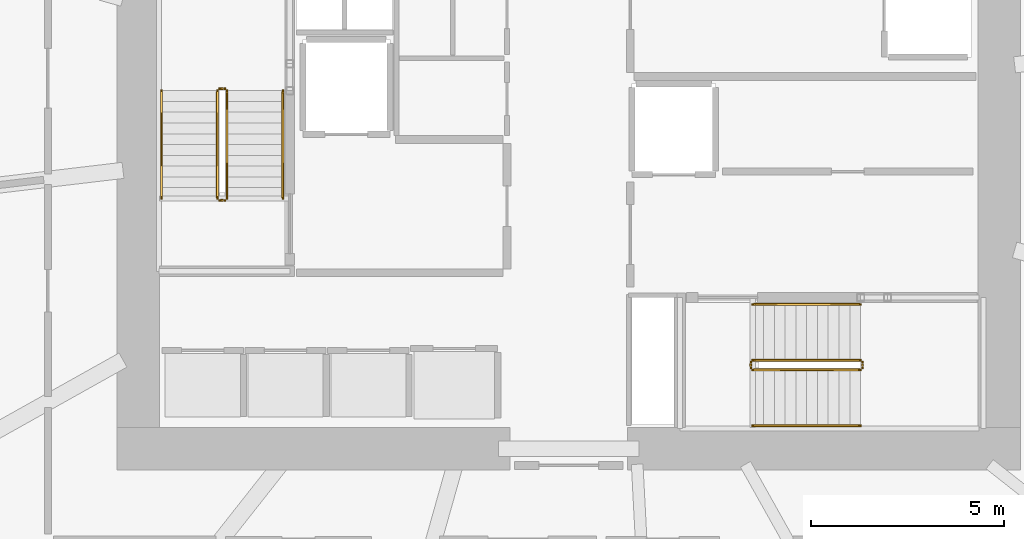
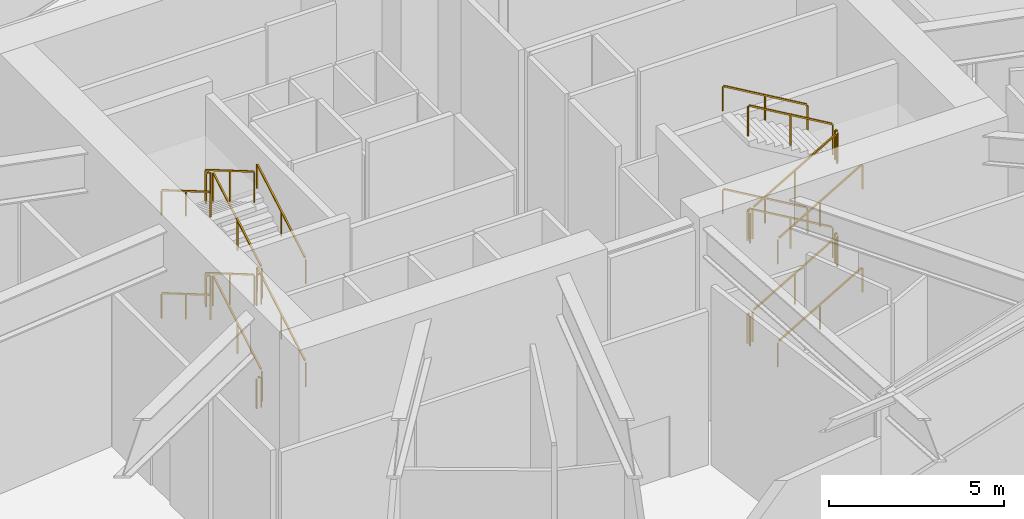
# One storey, part 25 of 28: 24 railings.
"""IFC4 building model written with IfcOpenShell, lengths in metres."""

from ifc_helpers import new_model, si_unit, direction, frame, origin, origin_2d, place, context, subcontext, project, spatial, rectangle, extrude, material, type_object, element, save


model = new_model("IFC4")

# Units and contexts
model_context = context("Model", 3, precision=1e-05, world=origin(), true_north=direction((0.0, 1.0)))
body_context = subcontext(model_context, "Body", "Model", "MODEL_VIEW")
ifc_project = project(units=[si_unit("LENGTHUNIT", "METRE"), si_unit("AREAUNIT", "SQUARE_METRE"), si_unit("VOLUMEUNIT", "CUBIC_METRE"), si_unit("PLANEANGLEUNIT", "RADIAN"), si_unit("MASSUNIT", "GRAM", prefix="KILO")], contexts=[model_context])

# Site, building, storey
site_placement = place(None, origin())
site = spatial("IfcSite", under=ifc_project, at=site_placement, CompositionType="ELEMENT")
building_placement = place(site_placement, origin())
building = spatial("IfcBuilding", under=site, at=building_placement, Name="Kazma Halo Residences", CompositionType="ELEMENT")
storey_placement = place(building_placement, origin())
storey = spatial("IfcBuildingStorey", under=building, at=storey_placement, Name="L00", CompositionType="ELEMENT", Elevation=0.0)

# Railings
ifc_material_1 = material(Name="Painted Steel S355", Category="steel")
railing_type_1 = type_object("IfcRailingType", Name="RLG-STAIR-GRD-1100", PredefinedType="GUARDRAIL", material=ifc_material_1)
railing_1_placement = place(storey_placement, frame((39.550048828125, 39.949951171875, 0.16357421875)))
element("IfcRailing", 1, at=railing_1_placement, inside=storey, type_object=railing_type_1, Name="L00 ST-01 stair guard 1", PredefinedType="GUARDRAIL", context=body_context, shape_type="SweptSolid", body=[
    extrude(rectangle(XDim=0.050048828125, YDim=0.050048828125, at=origin_2d()), frame((0.0, 0.03662109375, 1.096435546875), z_axis=(0.0, 0.863360870873, 0.504586966384), x_axis=(-1.0, 0.0, 0.0)), (0.0, 0.0, 1.0), 3.158203125),
    extrude(rectangle(XDim=0.0400390625, YDim=0.0400390625, at=origin_2d()), origin(), (0.0, 0.0, 1.0), 1.0380859375),
    extrude(rectangle(XDim=0.0400390625, YDim=0.0400390625, at=origin_2d()), frame((0.0, 1.39990234375, 0.818359375)), (0.0, 0.0, 1.0), 1.0380859375),
    extrude(rectangle(XDim=0.0400390625, YDim=0.0400390625, at=origin_2d()), frame((0.0, 2.800048828125, 1.636474609375)), (0.0, 0.0, 1.0), 1.0380859375),
])
railing_2_placement = place(storey_placement, frame((39.5, 42.800048828125, 1.800048828125)))
element("IfcRailing", 2, at=railing_2_placement, inside=storey, type_object=railing_type_1, Name="L00 ST-01 stair guard 2", PredefinedType="GUARDRAIL", context=body_context, shape_type="SweptSolid", body=[
    extrude(rectangle(XDim=0.050048828125, YDim=0.050048828125, at=origin_2d()), frame((-0.04248046875, 0.0, 1.0751953125), z_axis=(-1.0, 0.0, 0.0), x_axis=(0.0, -1.0, 0.0)), (0.0, 0.0, 1.0), 0.06494140625),
    extrude(rectangle(XDim=0.0400390625, YDim=0.0400390625, at=origin_2d()), origin(), (0.0, 0.0, 1.0), 1.0380859375),
    extrude(rectangle(XDim=0.0400390625, YDim=0.0400390625, at=origin_2d()), frame((-0.14990234375, 0.0, 0.0)), (0.0, 0.0, 1.0), 1.0380859375),
])
railing_3_placement = place(storey_placement, frame((39.300048828125, 42.75, 1.963623046875)))
element("IfcRailing", 3, at=railing_3_placement, inside=storey, type_object=railing_type_1, Name="L00 ST-01 stair guard 3", PredefinedType="GUARDRAIL", context=body_context, shape_type="SweptSolid", body=[
    extrude(rectangle(XDim=0.050048828125, YDim=0.050048828125, at=origin_2d()), frame((0.0, -0.03662109375, 1.096435546875), z_axis=(0.0, -0.863360870873, 0.504586966384), x_axis=(1.0, 0.0, 0.0)), (0.0, 0.0, 1.0), 3.158203125),
    extrude(rectangle(XDim=0.0400390625, YDim=0.0400390625, at=origin_2d()), origin(), (0.0, 0.0, 1.0), 1.0380859375),
    extrude(rectangle(XDim=0.0400390625, YDim=0.0400390625, at=origin_2d()), frame((0.0, -1.39990234375, 0.818359375)), (0.0, 0.0, 1.0), 1.0380859375),
    extrude(rectangle(XDim=0.0400390625, YDim=0.0400390625, at=origin_2d()), frame((0.0, -2.800048828125, 1.636474609375)), (0.0, 0.0, 1.0), 1.0380859375),
])
railing_4_placement = place(storey_placement, frame((39.5, 39.89990234375, 3.60009765625)))
element("IfcRailing", 4, at=railing_4_placement, inside=storey, type_object=railing_type_1, Name="L00 ST-01 stair guard 4", PredefinedType="GUARDRAIL", context=body_context, shape_type="SweptSolid", body=[
    extrude(rectangle(XDim=0.050048828125, YDim=0.050048828125, at=origin_2d()), frame((-0.04248046875, 0.0, 1.0751953125), z_axis=(-1.0, 0.0, 0.0), x_axis=(0.0, -1.0, 0.0)), (0.0, 0.0, 1.0), 0.06494140625),
    extrude(rectangle(XDim=0.0400390625, YDim=0.0400390625, at=origin_2d()), origin(), (0.0, 0.0, 1.0), 1.0380859375),
    extrude(rectangle(XDim=0.0400390625, YDim=0.0400390625, at=origin_2d()), frame((-0.14990234375, 0.0, 0.0)), (0.0, 0.0, 1.0), 1.0380859375),
])
railing_5_placement = place(storey_placement, frame((39.550048828125, 39.949951171875, 3.763671875)))
element("IfcRailing", 5, at=railing_5_placement, inside=storey, type_object=railing_type_1, Name="L00 ST-01 stair guard 5", PredefinedType="GUARDRAIL", context=body_context, shape_type="SweptSolid", body=[
    extrude(rectangle(XDim=0.050048828125, YDim=0.050048828125, at=origin_2d()), frame((0.0, 0.03662109375, 1.096435546875), z_axis=(0.0, 0.863393664356, 0.504530851732), x_axis=(-1.0, 0.0, 0.0)), (0.0, 0.0, 1.0), 3.157958984375),
    extrude(rectangle(XDim=0.0400390625, YDim=0.0400390625, at=origin_2d()), origin(), (0.0, 0.0, 1.0), 1.0380859375),
    extrude(rectangle(XDim=0.0400390625, YDim=0.0400390625, at=origin_2d()), frame((0.0, 1.39990234375, 0.818115234375)), (0.0, 0.0, 1.0), 1.0380859375),
    extrude(rectangle(XDim=0.0400390625, YDim=0.0400390625, at=origin_2d()), frame((0.0, 2.800048828125, 1.63623046875)), (0.0, 0.0, 1.0), 1.0380859375),
])
railing_6_placement = place(storey_placement, frame((39.5, 42.800048828125, 5.39990234375)))
element("IfcRailing", 6, at=railing_6_placement, inside=storey, type_object=railing_type_1, Name="L00 ST-01 stair guard 6", PredefinedType="GUARDRAIL", context=body_context, shape_type="SweptSolid", body=[
    extrude(rectangle(XDim=0.050048828125, YDim=0.050048828125, at=origin_2d()), frame((-0.04248046875, 0.0, 1.0751953125), z_axis=(-1.0, 0.0, 0.0), x_axis=(0.0, -1.0, 0.0)), (0.0, 0.0, 1.0), 0.06494140625),
    extrude(rectangle(XDim=0.0400390625, YDim=0.0400390625, at=origin_2d()), origin(), (0.0, 0.0, 1.0), 1.0380859375),
    extrude(rectangle(XDim=0.0400390625, YDim=0.0400390625, at=origin_2d()), frame((-0.14990234375, 0.0, 0.0)), (0.0, 0.0, 1.0), 1.0380859375),
])
railing_7_placement = place(storey_placement, frame((39.300048828125, 42.75, 5.563720703125)))
element("IfcRailing", 7, at=railing_7_placement, inside=storey, type_object=railing_type_1, Name="L00 ST-01 stair guard 7", PredefinedType="GUARDRAIL", context=body_context, shape_type="SweptSolid", body=[
    extrude(rectangle(XDim=0.050048828125, YDim=0.050048828125, at=origin_2d()), frame((0.0, -0.03662109375, 1.096435546875), z_axis=(0.0, -0.863393664356, 0.504530851732), x_axis=(1.0, 0.0, 0.0)), (0.0, 0.0, 1.0), 3.157958984375),
    extrude(rectangle(XDim=0.0400390625, YDim=0.0400390625, at=origin_2d()), origin(), (0.0, 0.0, 1.0), 1.0380859375),
    extrude(rectangle(XDim=0.0400390625, YDim=0.0400390625, at=origin_2d()), frame((0.0, -1.39990234375, 0.818115234375)), (0.0, 0.0, 1.0), 1.0380859375),
    extrude(rectangle(XDim=0.0400390625, YDim=0.0400390625, at=origin_2d()), frame((0.0, -2.800048828125, 1.63623046875)), (0.0, 0.0, 1.0), 1.0380859375),
])
railing_8_placement = place(storey_placement, frame((39.5, 39.89990234375, 0.0)))
element("IfcRailing", 8, at=railing_8_placement, inside=storey, type_object=railing_type_1, Name="L00 ST-01 stair guard 8", PredefinedType="GUARDRAIL", context=body_context, shape_type="SweptSolid", body=[
    extrude(rectangle(XDim=0.050048828125, YDim=0.050048828125, at=origin_2d()), frame((-0.04248046875, 0.0, 1.0751953125), z_axis=(-1.0, 0.0, 0.0), x_axis=(0.0, -1.0, 0.0)), (0.0, 0.0, 1.0), 0.06494140625),
    extrude(rectangle(XDim=0.0400390625, YDim=0.0400390625, at=origin_2d()), origin(), (0.0, 0.0, 1.0), 1.0380859375),
    extrude(rectangle(XDim=0.0400390625, YDim=0.0400390625, at=origin_2d()), frame((-0.14990234375, 0.0, 0.0)), (0.0, 0.0, 1.0), 1.0380859375),
])
railing_9_placement = place(storey_placement, frame((53.199951171875, 35.5, 0.16357421875)))
element("IfcRailing", 9, at=railing_9_placement, inside=storey, type_object=railing_type_1, Name="L00 ST-03 stair guard 1", PredefinedType="GUARDRAIL", context=body_context, shape_type="SweptSolid", body=[
    extrude(rectangle(XDim=0.050048828125, YDim=0.050048828125, at=origin_2d()), frame((0.03662109375, 0.0, 1.096435546875), z_axis=(0.863360870873, 0.0, 0.504586966384), x_axis=(0.0, 1.0, 0.0)), (0.0, 0.0, 1.0), 3.158203125),
    extrude(rectangle(XDim=0.0400390625, YDim=0.0400390625, at=origin_2d()), origin(), (0.0, 0.0, 1.0), 1.0380859375),
    extrude(rectangle(XDim=0.0400390625, YDim=0.0400390625, at=origin_2d()), frame((1.39990234375, 0.0, 0.818359375)), (0.0, 0.0, 1.0), 1.0380859375),
    extrude(rectangle(XDim=0.0400390625, YDim=0.0400390625, at=origin_2d()), frame((2.800048828125, 0.0, 1.636474609375)), (0.0, 0.0, 1.0), 1.0380859375),
])
railing_10_placement = place(storey_placement, frame((56.050048828125, 35.550048828125, 1.800048828125)))
element("IfcRailing", 10, at=railing_10_placement, inside=storey, type_object=railing_type_1, Name="L00 ST-03 stair guard 2", PredefinedType="GUARDRAIL", context=body_context, shape_type="SweptSolid", body=[
    extrude(rectangle(XDim=0.050048828125, YDim=0.050048828125, at=origin_2d()), frame((0.0, 0.04248046875, 1.0751953125), z_axis=(0.0, 1.0, 0.0), x_axis=(-1.0, 0.0, 0.0)), (0.0, 0.0, 1.0), 0.06494140625),
    extrude(rectangle(XDim=0.0400390625, YDim=0.0400390625, at=origin_2d()), origin(), (0.0, 0.0, 1.0), 1.0380859375),
    extrude(rectangle(XDim=0.0400390625, YDim=0.0400390625, at=origin_2d()), frame((0.0, 0.14990234375, 0.0)), (0.0, 0.0, 1.0), 1.0380859375),
])
railing_11_placement = place(storey_placement, frame((56.0, 35.75, 1.963623046875)))
element("IfcRailing", 11, at=railing_11_placement, inside=storey, type_object=railing_type_1, Name="L00 ST-03 stair guard 3", PredefinedType="GUARDRAIL", context=body_context, shape_type="SweptSolid", body=[
    extrude(rectangle(XDim=0.050048828125, YDim=0.050048828125, at=origin_2d()), frame((-0.03662109375, 0.0, 1.096435546875), z_axis=(-0.863360870873, 0.0, 0.504586966384), x_axis=(0.0, -1.0, 0.0)), (0.0, 0.0, 1.0), 3.158203125),
    extrude(rectangle(XDim=0.0400390625, YDim=0.0400390625, at=origin_2d()), origin(), (0.0, 0.0, 1.0), 1.0380859375),
    extrude(rectangle(XDim=0.0400390625, YDim=0.0400390625, at=origin_2d()), frame((-1.39990234375, 0.0, 0.818359375)), (0.0, 0.0, 1.0), 1.0380859375),
    extrude(rectangle(XDim=0.0400390625, YDim=0.0400390625, at=origin_2d()), frame((-2.800048828125, 0.0, 1.636474609375)), (0.0, 0.0, 1.0), 1.0380859375),
])
railing_12_placement = place(storey_placement, frame((53.14990234375, 35.550048828125, 3.60009765625)))
element("IfcRailing", 12, at=railing_12_placement, inside=storey, type_object=railing_type_1, Name="L00 ST-03 stair guard 4", PredefinedType="GUARDRAIL", context=body_context, shape_type="SweptSolid", body=[
    extrude(rectangle(XDim=0.050048828125, YDim=0.050048828125, at=origin_2d()), frame((0.0, 0.04248046875, 1.0751953125), z_axis=(0.0, 1.0, 0.0), x_axis=(-1.0, 0.0, 0.0)), (0.0, 0.0, 1.0), 0.06494140625),
    extrude(rectangle(XDim=0.0400390625, YDim=0.0400390625, at=origin_2d()), origin(), (0.0, 0.0, 1.0), 1.0380859375),
    extrude(rectangle(XDim=0.0400390625, YDim=0.0400390625, at=origin_2d()), frame((0.0, 0.14990234375, 0.0)), (0.0, 0.0, 1.0), 1.0380859375),
])
railing_13_placement = place(storey_placement, frame((53.199951171875, 35.5, 3.763671875)))
element("IfcRailing", 13, at=railing_13_placement, inside=storey, type_object=railing_type_1, Name="L00 ST-03 stair guard 5", PredefinedType="GUARDRAIL", context=body_context, shape_type="SweptSolid", body=[
    extrude(rectangle(XDim=0.050048828125, YDim=0.050048828125, at=origin_2d()), frame((0.03662109375, 0.0, 1.096435546875), z_axis=(0.863393664356, 0.0, 0.504530851732), x_axis=(0.0, 1.0, 0.0)), (0.0, 0.0, 1.0), 3.157958984375),
    extrude(rectangle(XDim=0.0400390625, YDim=0.0400390625, at=origin_2d()), origin(), (0.0, 0.0, 1.0), 1.0380859375),
    extrude(rectangle(XDim=0.0400390625, YDim=0.0400390625, at=origin_2d()), frame((1.39990234375, 0.0, 0.818115234375)), (0.0, 0.0, 1.0), 1.0380859375),
    extrude(rectangle(XDim=0.0400390625, YDim=0.0400390625, at=origin_2d()), frame((2.800048828125, 0.0, 1.63623046875)), (0.0, 0.0, 1.0), 1.0380859375),
])
railing_14_placement = place(storey_placement, frame((56.050048828125, 35.550048828125, 5.39990234375)))
element("IfcRailing", 14, at=railing_14_placement, inside=storey, type_object=railing_type_1, Name="L00 ST-03 stair guard 6", PredefinedType="GUARDRAIL", context=body_context, shape_type="SweptSolid", body=[
    extrude(rectangle(XDim=0.050048828125, YDim=0.050048828125, at=origin_2d()), frame((0.0, 0.04248046875, 1.0751953125), z_axis=(0.0, 1.0, 0.0), x_axis=(-1.0, 0.0, 0.0)), (0.0, 0.0, 1.0), 0.06494140625),
    extrude(rectangle(XDim=0.0400390625, YDim=0.0400390625, at=origin_2d()), origin(), (0.0, 0.0, 1.0), 1.0380859375),
    extrude(rectangle(XDim=0.0400390625, YDim=0.0400390625, at=origin_2d()), frame((0.0, 0.14990234375, 0.0)), (0.0, 0.0, 1.0), 1.0380859375),
])
railing_15_placement = place(storey_placement, frame((56.0, 35.75, 5.563720703125)))
element("IfcRailing", 15, at=railing_15_placement, inside=storey, type_object=railing_type_1, Name="L00 ST-03 stair guard 7", PredefinedType="GUARDRAIL", context=body_context, shape_type="SweptSolid", body=[
    extrude(rectangle(XDim=0.050048828125, YDim=0.050048828125, at=origin_2d()), frame((-0.03662109375, 0.0, 1.096435546875), z_axis=(-0.863393664356, 0.0, 0.504530851732), x_axis=(0.0, -1.0, 0.0)), (0.0, 0.0, 1.0), 3.157958984375),
    extrude(rectangle(XDim=0.0400390625, YDim=0.0400390625, at=origin_2d()), origin(), (0.0, 0.0, 1.0), 1.0380859375),
    extrude(rectangle(XDim=0.0400390625, YDim=0.0400390625, at=origin_2d()), frame((-1.39990234375, 0.0, 0.818115234375)), (0.0, 0.0, 1.0), 1.0380859375),
    extrude(rectangle(XDim=0.0400390625, YDim=0.0400390625, at=origin_2d()), frame((-2.800048828125, 0.0, 1.63623046875)), (0.0, 0.0, 1.0), 1.0380859375),
])
railing_16_placement = place(storey_placement, frame((53.14990234375, 35.550048828125, 0.0)))
element("IfcRailing", 16, at=railing_16_placement, inside=storey, type_object=railing_type_1, Name="L00 ST-03 stair guard 8", PredefinedType="GUARDRAIL", context=body_context, shape_type="SweptSolid", body=[
    extrude(rectangle(XDim=0.050048828125, YDim=0.050048828125, at=origin_2d()), frame((0.0, 0.04248046875, 1.0751953125), z_axis=(0.0, 1.0, 0.0), x_axis=(-1.0, 0.0, 0.0)), (0.0, 0.0, 1.0), 0.06494140625),
    extrude(rectangle(XDim=0.0400390625, YDim=0.0400390625, at=origin_2d()), origin(), (0.0, 0.0, 1.0), 1.0380859375),
    extrude(rectangle(XDim=0.0400390625, YDim=0.0400390625, at=origin_2d()), frame((0.0, 0.14990234375, 0.0)), (0.0, 0.0, 1.0), 1.0380859375),
])
ifc_material_2 = material(Name="Brushed Stainless Steel", Category="steel")
railing_type_2 = type_object("IfcRailingType", Name="RLG-STAIR-HND-900", PredefinedType="HANDRAIL", material=ifc_material_2)
railing_17_placement = place(storey_placement, frame((41.0, 39.949951171875, 0.16357421875)))
element("IfcRailing", 17, at=railing_17_placement, inside=storey, type_object=railing_type_2, Name="L00 ST-01 stair handrail 1", PredefinedType="HANDRAIL", context=body_context, shape_type="SweptSolid", body=[
    extrude(rectangle(XDim=0.050048828125, YDim=0.050048828125, at=origin_2d()), frame((0.0, 0.03662109375, 0.896240234375), z_axis=(0.0, 0.863360870873, 0.504586966384), x_axis=(-1.0, 0.0, 0.0)), (0.0, 0.0, 1.0), 3.158203125),
    extrude(rectangle(XDim=0.0400390625, YDim=0.0400390625, at=origin_2d()), origin(), (0.0, 0.0, 1.0), 0.837890625),
    extrude(rectangle(XDim=0.0400390625, YDim=0.0400390625, at=origin_2d()), frame((0.0, 1.39990234375, 0.818359375)), (0.0, 0.0, 1.0), 0.837890625),
    extrude(rectangle(XDim=0.0400390625, YDim=0.0400390625, at=origin_2d()), frame((0.0, 2.800048828125, 1.636474609375)), (0.0, 0.0, 1.0), 0.837890625),
])
railing_18_placement = place(storey_placement, frame((37.85009765625, 42.75, 1.963623046875)))
element("IfcRailing", 18, at=railing_18_placement, inside=storey, type_object=railing_type_2, Name="L00 ST-01 stair handrail 2", PredefinedType="HANDRAIL", context=body_context, shape_type="SweptSolid", body=[
    extrude(rectangle(XDim=0.050048828125, YDim=0.050048828125, at=origin_2d()), frame((0.0, -0.03662109375, 0.896240234375), z_axis=(0.0, -0.863360870873, 0.504586966384), x_axis=(1.0, 0.0, 0.0)), (0.0, 0.0, 1.0), 3.158203125),
    extrude(rectangle(XDim=0.0400390625, YDim=0.0400390625, at=origin_2d()), origin(), (0.0, 0.0, 1.0), 0.837890625),
    extrude(rectangle(XDim=0.0400390625, YDim=0.0400390625, at=origin_2d()), frame((0.0, -1.39990234375, 0.818359375)), (0.0, 0.0, 1.0), 0.837890625),
    extrude(rectangle(XDim=0.0400390625, YDim=0.0400390625, at=origin_2d()), frame((0.0, -2.800048828125, 1.636474609375)), (0.0, 0.0, 1.0), 0.837890625),
])
railing_19_placement = place(storey_placement, frame((41.0, 39.949951171875, 3.763671875)))
element("IfcRailing", 19, at=railing_19_placement, inside=storey, type_object=railing_type_2, Name="L00 ST-01 stair handrail 3", PredefinedType="HANDRAIL", context=body_context, shape_type="SweptSolid", body=[
    extrude(rectangle(XDim=0.050048828125, YDim=0.050048828125, at=origin_2d()), frame((0.0, 0.03662109375, 0.896240234375), z_axis=(0.0, 0.863393664356, 0.504530851732), x_axis=(-1.0, 0.0, 0.0)), (0.0, 0.0, 1.0), 3.157958984375),
    extrude(rectangle(XDim=0.0400390625, YDim=0.0400390625, at=origin_2d()), origin(), (0.0, 0.0, 1.0), 0.837890625),
    extrude(rectangle(XDim=0.0400390625, YDim=0.0400390625, at=origin_2d()), frame((0.0, 1.39990234375, 0.818115234375)), (0.0, 0.0, 1.0), 0.837890625),
    extrude(rectangle(XDim=0.0400390625, YDim=0.0400390625, at=origin_2d()), frame((0.0, 2.800048828125, 1.63623046875)), (0.0, 0.0, 1.0), 0.837890625),
])
railing_20_placement = place(storey_placement, frame((37.85009765625, 42.75, 5.563720703125)))
element("IfcRailing", 20, at=railing_20_placement, inside=storey, type_object=railing_type_2, Name="L00 ST-01 stair handrail 4", PredefinedType="HANDRAIL", context=body_context, shape_type="SweptSolid", body=[
    extrude(rectangle(XDim=0.050048828125, YDim=0.050048828125, at=origin_2d()), frame((0.0, -0.03662109375, 0.896240234375), z_axis=(0.0, -0.863393664356, 0.504530851732), x_axis=(1.0, 0.0, 0.0)), (0.0, 0.0, 1.0), 3.157958984375),
    extrude(rectangle(XDim=0.0400390625, YDim=0.0400390625, at=origin_2d()), origin(), (0.0, 0.0, 1.0), 0.837890625),
    extrude(rectangle(XDim=0.0400390625, YDim=0.0400390625, at=origin_2d()), frame((0.0, -1.39990234375, 0.818115234375)), (0.0, 0.0, 1.0), 0.837890625),
    extrude(rectangle(XDim=0.0400390625, YDim=0.0400390625, at=origin_2d()), frame((0.0, -2.800048828125, 1.63623046875)), (0.0, 0.0, 1.0), 0.837890625),
])
railing_21_placement = place(storey_placement, frame((53.199951171875, 34.050048828125, 0.16357421875)))
element("IfcRailing", 21, at=railing_21_placement, inside=storey, type_object=railing_type_2, Name="L00 ST-03 stair handrail 1", PredefinedType="HANDRAIL", context=body_context, shape_type="SweptSolid", body=[
    extrude(rectangle(XDim=0.050048828125, YDim=0.050048828125, at=origin_2d()), frame((0.03662109375, 0.0, 0.896240234375), z_axis=(0.863360870873, 0.0, 0.504586966384), x_axis=(0.0, 1.0, 0.0)), (0.0, 0.0, 1.0), 3.158203125),
    extrude(rectangle(XDim=0.0400390625, YDim=0.0400390625, at=origin_2d()), origin(), (0.0, 0.0, 1.0), 0.837890625),
    extrude(rectangle(XDim=0.0400390625, YDim=0.0400390625, at=origin_2d()), frame((1.39990234375, 0.0, 0.818359375)), (0.0, 0.0, 1.0), 0.837890625),
    extrude(rectangle(XDim=0.0400390625, YDim=0.0400390625, at=origin_2d()), frame((2.800048828125, 0.0, 1.636474609375)), (0.0, 0.0, 1.0), 0.837890625),
])
railing_22_placement = place(storey_placement, frame((56.0, 37.199951171875, 1.963623046875)))
element("IfcRailing", 22, at=railing_22_placement, inside=storey, type_object=railing_type_2, Name="L00 ST-03 stair handrail 2", PredefinedType="HANDRAIL", context=body_context, shape_type="SweptSolid", body=[
    extrude(rectangle(XDim=0.050048828125, YDim=0.050048828125, at=origin_2d()), frame((-0.03662109375, 0.0, 0.896240234375), z_axis=(-0.863360870873, 0.0, 0.504586966384), x_axis=(0.0, -1.0, 0.0)), (0.0, 0.0, 1.0), 3.158203125),
    extrude(rectangle(XDim=0.0400390625, YDim=0.0400390625, at=origin_2d()), origin(), (0.0, 0.0, 1.0), 0.837890625),
    extrude(rectangle(XDim=0.0400390625, YDim=0.0400390625, at=origin_2d()), frame((-1.39990234375, 0.0, 0.818359375)), (0.0, 0.0, 1.0), 0.837890625),
    extrude(rectangle(XDim=0.0400390625, YDim=0.0400390625, at=origin_2d()), frame((-2.800048828125, 0.0, 1.636474609375)), (0.0, 0.0, 1.0), 0.837890625),
])
railing_23_placement = place(storey_placement, frame((53.199951171875, 34.050048828125, 3.763671875)))
element("IfcRailing", 23, at=railing_23_placement, inside=storey, type_object=railing_type_2, Name="L00 ST-03 stair handrail 3", PredefinedType="HANDRAIL", context=body_context, shape_type="SweptSolid", body=[
    extrude(rectangle(XDim=0.050048828125, YDim=0.050048828125, at=origin_2d()), frame((0.03662109375, 0.0, 0.896240234375), z_axis=(0.863393664356, 0.0, 0.504530851732), x_axis=(0.0, 1.0, 0.0)), (0.0, 0.0, 1.0), 3.157958984375),
    extrude(rectangle(XDim=0.0400390625, YDim=0.0400390625, at=origin_2d()), origin(), (0.0, 0.0, 1.0), 0.837890625),
    extrude(rectangle(XDim=0.0400390625, YDim=0.0400390625, at=origin_2d()), frame((1.39990234375, 0.0, 0.818115234375)), (0.0, 0.0, 1.0), 0.837890625),
    extrude(rectangle(XDim=0.0400390625, YDim=0.0400390625, at=origin_2d()), frame((2.800048828125, 0.0, 1.63623046875)), (0.0, 0.0, 1.0), 0.837890625),
])
railing_24_placement = place(storey_placement, frame((56.0, 37.199951171875, 5.563720703125)))
element("IfcRailing", 24, at=railing_24_placement, inside=storey, type_object=railing_type_2, Name="L00 ST-03 stair handrail 4", PredefinedType="HANDRAIL", context=body_context, shape_type="SweptSolid", body=[
    extrude(rectangle(XDim=0.050048828125, YDim=0.050048828125, at=origin_2d()), frame((-0.03662109375, 0.0, 0.896240234375), z_axis=(-0.863393664356, 0.0, 0.504530851732), x_axis=(0.0, -1.0, 0.0)), (0.0, 0.0, 1.0), 3.157958984375),
    extrude(rectangle(XDim=0.0400390625, YDim=0.0400390625, at=origin_2d()), origin(), (0.0, 0.0, 1.0), 0.837890625),
    extrude(rectangle(XDim=0.0400390625, YDim=0.0400390625, at=origin_2d()), frame((-1.39990234375, 0.0, 0.818115234375)), (0.0, 0.0, 1.0), 0.837890625),
    extrude(rectangle(XDim=0.0400390625, YDim=0.0400390625, at=origin_2d()), frame((-2.800048828125, 0.0, 1.63623046875)), (0.0, 0.0, 1.0), 0.837890625),
])

save(model, "model.ifc")
